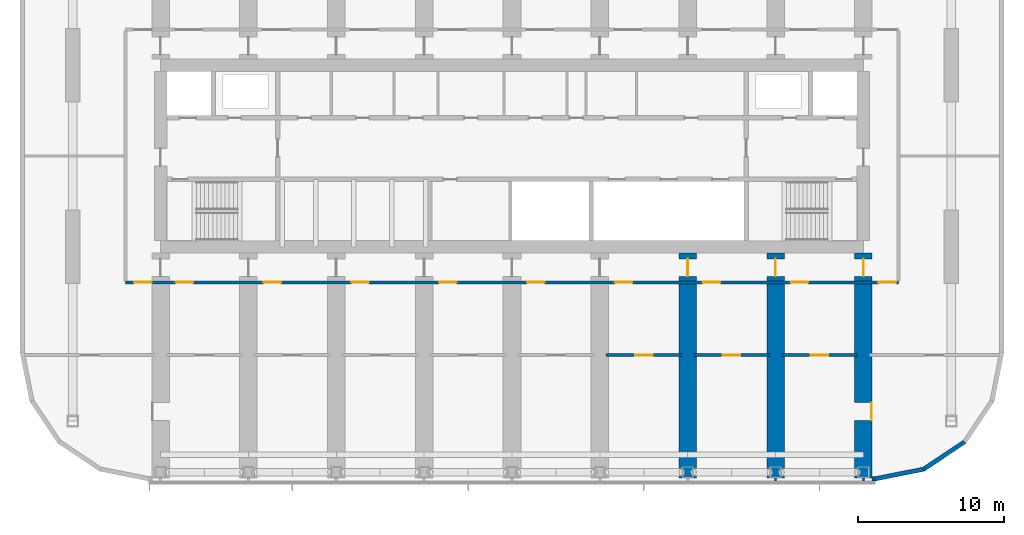
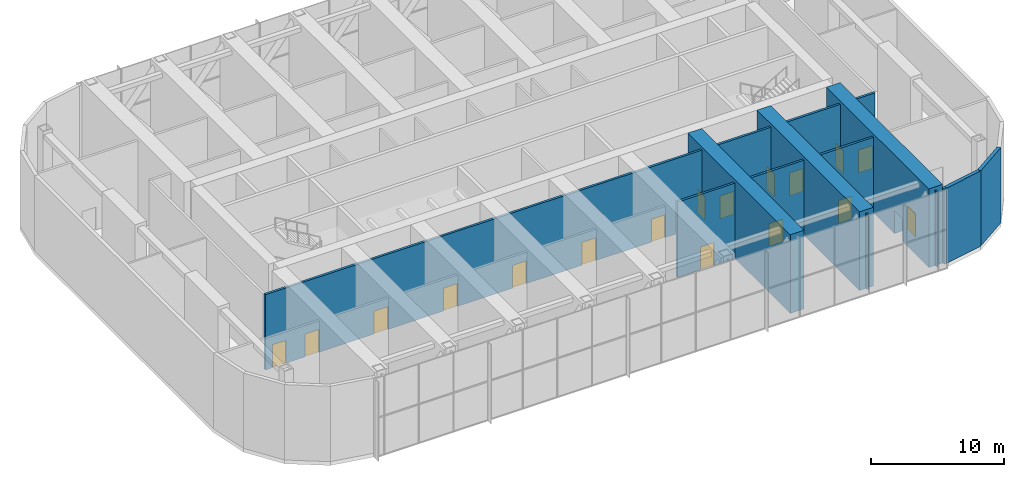
# One storey, part 9 of 22: 17 doors, 12 walls, 17 openings.
"""IFC4 building model written with IfcOpenShell, lengths in metres."""

import ifcopenshell
import ifcopenshell.guid

model = None  # the IFC model being written
_history = None  # IfcOwnerHistory: only IFC2X3 demands one
_inside = {}  # id of a spatial element -> (the spatial element, [elements in it])
_under = {}  # id of a project, library or spatial element -> (it, [spatial elements below it])
_declared = {}  # id of a project -> (the project, [libraries it declares])
_typed = {}  # id of a type object -> (the type object, [elements of that type])
_made_of = {}  # id of a material, layer set ... -> (it, [elements and type objects made of it])


def new_model(schema):
    """Start an empty IFC model of exactly this schema.

    Asked for "IFC4X3", IfcOpenShell would pick the latest addendum, in which some entities
    have other attributes; the version numbers below select the first issue.
    IFC2X3 requires an IfcOwnerHistory on every rooted entity: one is made here for all.
    """
    global model, _history
    if schema == "IFC4X3":
        model = ifcopenshell.file(schema_version=(4, 3, 0, 0))
    else:
        model = ifcopenshell.file(schema=schema)
    _inside.clear()
    _under.clear()
    _declared.clear()
    _typed.clear()
    _made_of.clear()
    _history = None
    if model.schema == "IFC2X3":
        org = make("IfcOrganization", Name="unknown")
        user = make(
            "IfcPersonAndOrganization",
            ThePerson=make("IfcPerson", FamilyName="unknown"),
            TheOrganization=org,
        )
        app = make(
            "IfcApplication",
            ApplicationDeveloper=org,
            Version="unknown",
            ApplicationFullName="unknown",
            ApplicationIdentifier="unknown",
        )
        _history = make(
            "IfcOwnerHistory",
            OwningUser=user,
            OwningApplication=app,
            ChangeAction="ADDED",
            CreationDate=0,
        )
    return model


def make(cls, **values):
    """One entity of the class cls with the attributes given. An attribute that is None is left unset."""
    return model.create_entity(
        cls, **{name: value for name, value in values.items() if value is not None}
    )


def rooted(cls, **values):
    """An entity with a GlobalId (a new one), such as an element, a storey or a relation."""
    return make(cls, GlobalId=ifcopenshell.guid.new(), OwnerHistory=_history, **values)


def si_unit(unit_type, name, prefix=None):
    """IfcSIUnit, for example si_unit("LENGTHUNIT", "METRE", prefix="MILLI")."""
    return make("IfcSIUnit", UnitType=unit_type, Prefix=prefix, Name=name)


def assignment(units):
    """IfcUnitAssignment: the units of a project."""
    return None if units is None else make("IfcUnitAssignment", Units=units)


def point(xyz):
    """IfcCartesianPoint."""
    return None if xyz is None else make("IfcCartesianPoint", Coordinates=xyz)


def direction(xyz):
    """IfcDirection."""
    return None if xyz is None else make("IfcDirection", DirectionRatios=xyz)


def frame(location, z_axis=None, x_axis=None):
    """IfcAxis2Placement3D, a coordinate frame: its origin and axes. An axis left out is left unset."""
    return make(
        "IfcAxis2Placement3D",
        Location=point(location),
        Axis=direction(z_axis),
        RefDirection=direction(x_axis),
    )


def frame_2d(location, x_axis=None):
    """IfcAxis2Placement2D, a coordinate frame in the plane: its origin and x axis."""
    return make(
        "IfcAxis2Placement2D", Location=point(location), RefDirection=direction(x_axis)
    )


def origin():
    """The frame at (0, 0, 0) with its axes left unset."""
    return frame((0.0, 0.0, 0.0))


def place(relative_to, where):
    """IfcLocalPlacement: puts the frame where relative to a parent placement (None: the world)."""
    return make(
        "IfcLocalPlacement", PlacementRelTo=relative_to, RelativePlacement=where
    )


def context(
    kind, dimensions, precision=None, world=None, true_north=None, identifier=None
):
    """IfcGeometricRepresentationContext, for example the 3D "Model" context."""
    return make(
        "IfcGeometricRepresentationContext",
        ContextIdentifier=identifier,
        ContextType=kind,
        CoordinateSpaceDimension=dimensions,
        Precision=precision,
        WorldCoordinateSystem=world,
        TrueNorth=true_north,
    )


def subcontext(parent, identifier, kind, view, scale=None):
    """IfcGeometricRepresentationSubContext, for example "Body" below "Model"."""
    return make(
        "IfcGeometricRepresentationSubContext",
        ContextIdentifier=identifier,
        ContextType=kind,
        ParentContext=parent,
        TargetScale=scale,
        TargetView=view,
    )


def project(units=None, contexts=None):
    """IfcProject with its units and contexts."""
    return rooted(
        "IfcProject",
        Name="project",
        RepresentationContexts=contexts,
        UnitsInContext=assignment(units),
    )


def spatial(cls, under=None, at=None, **own):
    """A site, building, storey or space (cls), placed at a placement, below another one or the project."""
    s = rooted(cls, ObjectPlacement=at, **own)
    if under is not None:
        _under.setdefault(under.id(), (under, []))[1].append(s)
    return s


def polyline(points):
    """IfcPolyline through the points."""
    return make("IfcPolyline", Points=[point(p) for p in points])


def profile(cls, at=None, kind="AREA", **sizes):
    """A parametric profile (cls). Its sizes go by their IFC names, for example OverallWidth=200.0."""
    return make(cls, ProfileType=kind, Position=at, **sizes)


def rectangle(**sizes):
    """IfcRectangleProfileDef."""
    return profile("IfcRectangleProfileDef", **sizes)


def outline(outer, holes=None, kind="AREA"):
    """IfcArbitraryClosedProfileDef: a profile drawn as a closed curve; with holes, ...WithVoids."""
    if holes is None:
        return make("IfcArbitraryClosedProfileDef", ProfileType=kind, OuterCurve=outer)
    return make(
        "IfcArbitraryProfileDefWithVoids",
        ProfileType=kind,
        OuterCurve=outer,
        InnerCurves=holes,
    )


def extrude(swept, where, along, depth):
    """IfcExtrudedAreaSolid: the profile swept, set in the frame where, extruded along a direction by depth."""
    return make(
        "IfcExtrudedAreaSolid",
        SweptArea=swept,
        Position=where,
        ExtrudedDirection=direction(along),
        Depth=depth,
    )


def shape(context_of_items, identifier, shape_type, items):
    """IfcShapeRepresentation: the items that make up one representation, for example the "Body"."""
    return make(
        "IfcShapeRepresentation",
        ContextOfItems=context_of_items,
        RepresentationIdentifier=identifier,
        RepresentationType=shape_type,
        Items=items,
    )


def material(Name=None, Category=None):
    """IfcMaterial."""
    return make("IfcMaterial", Name=Name, Category=Category)


def layer(
    of_material, thickness, ventilated=None, Name=None, Category=None, Priority=None
):
    """IfcMaterialLayer: one layer of a wall or slab, of a material (None: an air gap)."""
    return make(
        "IfcMaterialLayer",
        Material=of_material,
        LayerThickness=thickness,
        IsVentilated=ventilated,
        Name=Name,
        Category=Category,
        Priority=Priority,
    )


def layer_set(layers, Name=None):
    """IfcMaterialLayerSet."""
    return make("IfcMaterialLayerSet", MaterialLayers=layers, LayerSetName=Name)


def made_of(thing, what):
    """Note that an element or type object is made of a material, layer set ...; save() writes the relation."""
    if what is not None:
        _made_of.setdefault(what.id(), (what, []))[1].append(thing)
    return thing


def type_object(cls, material=None, **own):
    """A type object (cls), such as IfcWallType, which elements share."""
    return made_of(rooted(cls, **own), material)


def element(
    cls,
    number,
    at=None,
    inside=None,
    cuts=None,
    type_object=None,
    material=None,
    context=None,
    identifier="Body",
    shape_type=None,
    held_by="IfcProductDefinitionShape",
    body=None,
    shapes=None,
    **own,
):
    """One element of the class cls, such as IfcWall. Its Tag is "e" and its number.

    at: its placement. inside: the storey or other place that contains it. cuts: it is an
    opening in that element (IfcRelVoidsElement). A single representation is given by context,
    identifier, shape_type and body (its items); several are given by shapes. held_by: the class
    of the entity that holds the representations. save() writes the other relations.
    """
    e = rooted(cls, Tag="e%d" % number, ObjectPlacement=at, **own)
    if body is not None:
        shapes = [shape(context, identifier, shape_type, body)]
    if shapes is not None:
        e.Representation = make(held_by, Representations=shapes)
    if inside is not None:
        _inside.setdefault(inside.id(), (inside, []))[1].append(e)
    if cuts is not None:
        rooted(
            "IfcRelVoidsElement", RelatingBuildingElement=cuts, RelatedOpeningElement=e
        )
    if type_object is not None:
        _typed.setdefault(type_object.id(), (type_object, []))[1].append(e)
    return made_of(e, material)


def fill(opening, filler):
    """IfcRelFillsElement: the door or window that sits in an opening."""
    return rooted(
        "IfcRelFillsElement",
        RelatingOpeningElement=opening,
        RelatedBuildingElement=filler,
    )


def aggregate(whole, parts):
    """IfcRelAggregates: a whole, such as a stair, and the parts it consists of."""
    return rooted("IfcRelAggregates", RelatingObject=whole, RelatedObjects=parts)


def save(model, path):
    """Write the relations noted so far, then the file.

    IfcRelAggregates (storeys below a building ...), IfcRelContainedInSpatialStructure (elements
    in a storey), IfcRelDefinesByType, IfcRelAssociatesMaterial and IfcRelDeclares: one each for
    every whole, place, type object, material and project.
    """
    for whole, parts in _under.values():
        aggregate(whole, parts)
    for where, things in _inside.values():
        rooted(
            "IfcRelContainedInSpatialStructure",
            RelatedElements=things,
            RelatingStructure=where,
        )
    for kind, things in _typed.values():
        rooted("IfcRelDefinesByType", RelatedObjects=things, RelatingType=kind)
    for what, things in _made_of.values():
        rooted("IfcRelAssociatesMaterial", RelatedObjects=things, RelatingMaterial=what)
    for by, libraries in _declared.values():
        rooted("IfcRelDeclares", RelatingContext=by, RelatedDefinitions=libraries)
    model.write(path)


model = new_model("IFC4")

# Units and contexts
model_context = context("Model", 3, precision=1e-05, world=origin(), true_north=direction((0.0, 1.0)))
body_context = subcontext(model_context, "Body", "Model", "MODEL_VIEW")
ifc_project = project(units=[si_unit("LENGTHUNIT", "METRE"), si_unit("AREAUNIT", "SQUARE_METRE"), si_unit("VOLUMEUNIT", "CUBIC_METRE"), si_unit("PLANEANGLEUNIT", "RADIAN"), si_unit("MASSUNIT", "GRAM", prefix="KILO")], contexts=[model_context])

# Site, building, storey
site_placement = place(None, origin())
site = spatial("IfcSite", under=ifc_project, at=site_placement, CompositionType="ELEMENT")
building_placement = place(site_placement, origin())
building = spatial("IfcBuilding", under=site, at=building_placement, Name="Orbita Commons", CompositionType="ELEMENT")
storey_placement = place(building_placement, frame((0.0, 0.0, 201.10009765625)))
storey = spatial("IfcBuildingStorey", under=building, at=storey_placement, Name="L50", CompositionType="ELEMENT", Elevation=201.10009765625)

# Wall, openings, doors
ifc_material_1 = material(Name="Concrete blockwork", Category="masonry")
ifc_layer_1 = layer(ifc_material_1, 0.199951171875)
ifc_layer_set_1 = layer_set([ifc_layer_1], Name="Concrete blockwork")
wall_type_1 = type_object("IfcWallType", Name="Corridor wall 200 blockwork", PredefinedType="SOLIDWALL", material=ifc_layer_set_1)
wall_1_placement = place(storey_placement, frame((68.39990234375, 23.375, 0.0), z_axis=(0.0, 0.0, 1.0), x_axis=(-1.0, 0.0, 0.0)))
wall_1 = element("IfcWall", 1, at=wall_1_placement, inside=storey, type_object=wall_type_1, Name="Corridor wall 200 blockwork L50", PredefinedType="SOLIDWALL", context=body_context, shape_type="SweptSolid", body=[
    extrude(rectangle(XDim=52.7998046875, YDim=0.199951171875, at=frame_2d((26.39990234375, 0.0))), origin(), (0.0, 0.0, 1.0), 6.89990234375),
])
opening_1_placement = place(wall_1_placement, frame((51.0, 0.0, 0.0)))
opening_1 = element("IfcOpeningElement", 2, at=opening_1_placement, cuts=wall_1, Name="Opening D01", PredefinedType="OPENING", context=body_context, shape_type="SweptSolid", body=[
    extrude(rectangle(XDim=1.199951171875, YDim=2.10009765625, at=frame_2d((0.60009765625, 1.050048828125))), frame((0.0, 0.10986328125, 0.0), z_axis=(0.0, -1.0, 0.0), x_axis=(1.0, 0.0, 0.0)), (0.0, 0.0, 1.0), 0.219970703125),
])
opening_2_placement = place(wall_1_placement, frame((48.175048828125, 0.0, 0.0)))
opening_2 = element("IfcOpeningElement", 3, at=opening_2_placement, cuts=wall_1, Name="Opening D01", PredefinedType="OPENING", context=body_context, shape_type="SweptSolid", body=[
    extrude(rectangle(XDim=1.199951171875, YDim=2.10009765625, at=frame_2d((0.60009765625, 1.050048828125))), frame((0.0, 0.10986328125, 0.0), z_axis=(0.0, -1.0, 0.0), x_axis=(1.0, 0.0, 0.0)), (0.0, 0.0, 1.0), 0.219970703125),
])
opening_3_placement = place(wall_1_placement, frame((42.175048828125, 0.0, 0.0)))
opening_3 = element("IfcOpeningElement", 4, at=opening_3_placement, cuts=wall_1, Name="Opening D01", PredefinedType="OPENING", context=body_context, shape_type="SweptSolid", body=[
    extrude(rectangle(XDim=1.199951171875, YDim=2.10009765625, at=frame_2d((0.60009765625, 1.050048828125))), frame((0.0, 0.10986328125, 0.0), z_axis=(0.0, -1.0, 0.0), x_axis=(1.0, 0.0, 0.0)), (0.0, 0.0, 1.0), 0.219970703125),
])
opening_4_placement = place(wall_1_placement, frame((36.175048828125, 0.0, 0.0)))
opening_4 = element("IfcOpeningElement", 5, at=opening_4_placement, cuts=wall_1, Name="Opening D01", PredefinedType="OPENING", context=body_context, shape_type="SweptSolid", body=[
    extrude(rectangle(XDim=1.199951171875, YDim=2.10009765625, at=frame_2d((0.60009765625, 1.050048828125))), frame((0.0, 0.10986328125, 0.0), z_axis=(0.0, -1.0, 0.0), x_axis=(1.0, 0.0, 0.0)), (0.0, 0.0, 1.0), 0.219970703125),
])
opening_5_placement = place(wall_1_placement, frame((30.175048828125, 0.0, 0.0)))
opening_5 = element("IfcOpeningElement", 6, at=opening_5_placement, cuts=wall_1, Name="Opening D01", PredefinedType="OPENING", context=body_context, shape_type="SweptSolid", body=[
    extrude(rectangle(XDim=1.199951171875, YDim=2.10009765625, at=frame_2d((0.60009765625, 1.050048828125))), frame((0.0, 0.10986328125, 0.0), z_axis=(0.0, -1.0, 0.0), x_axis=(1.0, 0.0, 0.0)), (0.0, 0.0, 1.0), 0.219970703125),
])
opening_6_placement = place(wall_1_placement, frame((24.175048828125, 0.0, 0.0)))
opening_6 = element("IfcOpeningElement", 7, at=opening_6_placement, cuts=wall_1, Name="Opening D01", PredefinedType="OPENING", context=body_context, shape_type="SweptSolid", body=[
    extrude(rectangle(XDim=1.199951171875, YDim=2.10009765625, at=frame_2d((0.60009765625, 1.050048828125))), frame((0.0, 0.10986328125, 0.0), z_axis=(0.0, -1.0, 0.0), x_axis=(1.0, 0.0, 0.0)), (0.0, 0.0, 1.0), 0.219970703125),
])
opening_7_placement = place(wall_1_placement, frame((18.175048828125, 0.0, 0.0)))
opening_7 = element("IfcOpeningElement", 8, at=opening_7_placement, cuts=wall_1, Name="Opening D01", PredefinedType="OPENING", context=body_context, shape_type="SweptSolid", body=[
    extrude(rectangle(XDim=1.199951171875, YDim=2.10009765625, at=frame_2d((0.60009765625, 1.050048828125))), frame((0.0, 0.10986328125, 0.0), z_axis=(0.0, -1.0, 0.0), x_axis=(1.0, 0.0, 0.0)), (0.0, 0.0, 1.0), 0.219970703125),
])
opening_8_placement = place(wall_1_placement, frame((12.175048828125, 0.0, 0.0)))
opening_8 = element("IfcOpeningElement", 9, at=opening_8_placement, cuts=wall_1, Name="Opening D01", PredefinedType="OPENING", context=body_context, shape_type="SweptSolid", body=[
    extrude(rectangle(XDim=1.199951171875, YDim=2.10009765625, at=frame_2d((0.60009765625, 1.050048828125))), frame((0.0, 0.10986328125, 0.0), z_axis=(0.0, -1.0, 0.0), x_axis=(1.0, 0.0, 0.0)), (0.0, 0.0, 1.0), 0.219970703125),
])
opening_9_placement = place(wall_1_placement, frame((6.175048828125, 0.0, 0.0)))
opening_9 = element("IfcOpeningElement", 10, at=opening_9_placement, cuts=wall_1, Name="Opening D01", PredefinedType="OPENING", context=body_context, shape_type="SweptSolid", body=[
    extrude(rectangle(XDim=1.199951171875, YDim=2.10009765625, at=frame_2d((0.60009765625, 1.050048828125))), frame((0.0, 0.10986328125, 0.0), z_axis=(0.0, -1.0, 0.0), x_axis=(1.0, 0.0, 0.0)), (0.0, 0.0, 1.0), 0.219970703125),
])
opening_10_placement = place(wall_1_placement, frame((0.175048828125, 0.0, 0.0)))
opening_10 = element("IfcOpeningElement", 11, at=opening_10_placement, cuts=wall_1, Name="Opening D01", PredefinedType="OPENING", context=body_context, shape_type="SweptSolid", body=[
    extrude(rectangle(XDim=1.199951171875, YDim=2.10009765625, at=frame_2d((0.60009765625, 1.050048828125))), frame((0.0, 0.10986328125, 0.0), z_axis=(0.0, -1.0, 0.0), x_axis=(1.0, 0.0, 0.0)), (0.0, 0.0, 1.0), 0.219970703125),
])
ifc_material_2 = material(Name="Steel-faced fire door leaf", Category="steel")
door_type = type_object("IfcDoorType", Name="Fire door 90 min 1200x2100", OperationType="SINGLE_SWING_LEFT", PredefinedType="DOOR", material=ifc_material_2)
door_1_placement = place(opening_1_placement, origin())
door_1 = element("IfcDoor", 12, at=door_1_placement, inside=storey, type_object=door_type, Name="Refuge lobby L50-PS0 door", OperationType="SINGLE_SWING_LEFT", OverallHeight=2.10009765625, OverallWidth=1.199951171875, PredefinedType="DOOR", context=body_context, shape_type="SweptSolid", body=[
    extrude(rectangle(XDim=1.199951171875, YDim=2.10009765625, at=frame_2d((0.60009765625, 1.050048828125))), frame((0.0, 0.02490234375, 0.0), z_axis=(0.0, -1.0, 0.0), x_axis=(1.0, 0.0, 0.0)), (0.0, 0.0, 1.0), 0.050048828125),
])
fill(opening_1, door_1)
door_2_placement = place(opening_2_placement, origin())
door_2 = element("IfcDoor", 13, at=door_2_placement, inside=storey, type_object=door_type, Name="Refuge lobby L50-PS1 door", OperationType="SINGLE_SWING_LEFT", OverallHeight=2.10009765625, OverallWidth=1.199951171875, PredefinedType="DOOR", context=body_context, shape_type="SweptSolid", body=[
    extrude(rectangle(XDim=1.199951171875, YDim=2.10009765625, at=frame_2d((0.60009765625, 1.050048828125))), frame((0.0, 0.02490234375, 0.0), z_axis=(0.0, -1.0, 0.0), x_axis=(1.0, 0.0, 0.0)), (0.0, 0.0, 1.0), 0.050048828125),
])
fill(opening_2, door_2)
door_3_placement = place(opening_3_placement, origin())
door_3 = element("IfcDoor", 14, at=door_3_placement, inside=storey, type_object=door_type, Name="Refuge lobby L50-PS2 door", OperationType="SINGLE_SWING_LEFT", OverallHeight=2.10009765625, OverallWidth=1.199951171875, PredefinedType="DOOR", context=body_context, shape_type="SweptSolid", body=[
    extrude(rectangle(XDim=1.199951171875, YDim=2.10009765625, at=frame_2d((0.60009765625, 1.050048828125))), frame((0.0, 0.02490234375, 0.0), z_axis=(0.0, -1.0, 0.0), x_axis=(1.0, 0.0, 0.0)), (0.0, 0.0, 1.0), 0.050048828125),
])
fill(opening_3, door_3)
door_4_placement = place(opening_4_placement, origin())
door_4 = element("IfcDoor", 15, at=door_4_placement, inside=storey, type_object=door_type, Name="Refuge lobby L50-PS3 door", OperationType="SINGLE_SWING_LEFT", OverallHeight=2.10009765625, OverallWidth=1.199951171875, PredefinedType="DOOR", context=body_context, shape_type="SweptSolid", body=[
    extrude(rectangle(XDim=1.199951171875, YDim=2.10009765625, at=frame_2d((0.60009765625, 1.050048828125))), frame((0.0, 0.02490234375, 0.0), z_axis=(0.0, -1.0, 0.0), x_axis=(1.0, 0.0, 0.0)), (0.0, 0.0, 1.0), 0.050048828125),
])
fill(opening_4, door_4)
door_5_placement = place(opening_5_placement, origin())
door_5 = element("IfcDoor", 16, at=door_5_placement, inside=storey, type_object=door_type, Name="Refuge lobby L50-PS4 door", OperationType="SINGLE_SWING_LEFT", OverallHeight=2.10009765625, OverallWidth=1.199951171875, PredefinedType="DOOR", context=body_context, shape_type="SweptSolid", body=[
    extrude(rectangle(XDim=1.199951171875, YDim=2.10009765625, at=frame_2d((0.60009765625, 1.050048828125))), frame((0.0, 0.02490234375, 0.0), z_axis=(0.0, -1.0, 0.0), x_axis=(1.0, 0.0, 0.0)), (0.0, 0.0, 1.0), 0.050048828125),
])
fill(opening_5, door_5)
door_6_placement = place(opening_6_placement, origin())
door_6 = element("IfcDoor", 17, at=door_6_placement, inside=storey, type_object=door_type, Name="Refuge lobby L50-PS5 door", OperationType="SINGLE_SWING_LEFT", OverallHeight=2.10009765625, OverallWidth=1.199951171875, PredefinedType="DOOR", context=body_context, shape_type="SweptSolid", body=[
    extrude(rectangle(XDim=1.199951171875, YDim=2.10009765625, at=frame_2d((0.60009765625, 1.050048828125))), frame((0.0, 0.02490234375, 0.0), z_axis=(0.0, -1.0, 0.0), x_axis=(1.0, 0.0, 0.0)), (0.0, 0.0, 1.0), 0.050048828125),
])
fill(opening_6, door_6)
door_7_placement = place(opening_7_placement, origin())
door_7 = element("IfcDoor", 18, at=door_7_placement, inside=storey, type_object=door_type, Name="Refuge lobby L50-PS6 door", OperationType="SINGLE_SWING_LEFT", OverallHeight=2.10009765625, OverallWidth=1.199951171875, PredefinedType="DOOR", context=body_context, shape_type="SweptSolid", body=[
    extrude(rectangle(XDim=1.199951171875, YDim=2.10009765625, at=frame_2d((0.60009765625, 1.050048828125))), frame((0.0, 0.02490234375, 0.0), z_axis=(0.0, -1.0, 0.0), x_axis=(1.0, 0.0, 0.0)), (0.0, 0.0, 1.0), 0.050048828125),
])
fill(opening_7, door_7)
door_8_placement = place(opening_8_placement, origin())
door_8 = element("IfcDoor", 19, at=door_8_placement, inside=storey, type_object=door_type, Name="Refuge lobby L50-PS7 door", OperationType="SINGLE_SWING_LEFT", OverallHeight=2.10009765625, OverallWidth=1.199951171875, PredefinedType="DOOR", context=body_context, shape_type="SweptSolid", body=[
    extrude(rectangle(XDim=1.199951171875, YDim=2.10009765625, at=frame_2d((0.60009765625, 1.050048828125))), frame((0.0, 0.02490234375, 0.0), z_axis=(0.0, -1.0, 0.0), x_axis=(1.0, 0.0, 0.0)), (0.0, 0.0, 1.0), 0.050048828125),
])
fill(opening_8, door_8)
door_9_placement = place(opening_9_placement, origin())
door_9 = element("IfcDoor", 20, at=door_9_placement, inside=storey, type_object=door_type, Name="Refuge lobby L50-PS8 door", OperationType="SINGLE_SWING_LEFT", OverallHeight=2.10009765625, OverallWidth=1.199951171875, PredefinedType="DOOR", context=body_context, shape_type="SweptSolid", body=[
    extrude(rectangle(XDim=1.199951171875, YDim=2.10009765625, at=frame_2d((0.60009765625, 1.050048828125))), frame((0.0, 0.02490234375, 0.0), z_axis=(0.0, -1.0, 0.0), x_axis=(1.0, 0.0, 0.0)), (0.0, 0.0, 1.0), 0.050048828125),
])
fill(opening_9, door_9)
door_10_placement = place(opening_10_placement, origin())
door_10 = element("IfcDoor", 21, at=door_10_placement, inside=storey, type_object=door_type, Name="Refuge lobby L50-PS9 door", OperationType="SINGLE_SWING_LEFT", OverallHeight=2.10009765625, OverallWidth=1.199951171875, PredefinedType="DOOR", context=body_context, shape_type="SweptSolid", body=[
    extrude(rectangle(XDim=1.199951171875, YDim=2.10009765625, at=frame_2d((0.60009765625, 1.050048828125))), frame((0.0, 0.02490234375, 0.0), z_axis=(0.0, -1.0, 0.0), x_axis=(1.0, 0.0, 0.0)), (0.0, 0.0, 1.0), 0.050048828125),
])
fill(opening_10, door_10)

# Wall, opening, door
ifc_material_3 = material(Name="Hollow concrete block 200", Category="concrete")
ifc_layer_2 = layer(ifc_material_3, 0.199951171875)
ifc_layer_set_2 = layer_set([ifc_layer_2], Name="Hollow concrete block 200")
wall_type_2 = type_object("IfcWallType", Name="Corridor wall 200 hollow concrete block", PredefinedType="SOLIDWALL", material=ifc_layer_set_2)
wall_2_placement = place(storey_placement, frame((48.425048828125, 18.39990234375, 0.0), z_axis=(0.0, 0.0, 1.0), x_axis=(1.0, 0.0, 0.0)))
wall_2 = element("IfcWall", 22, at=wall_2_placement, inside=storey, type_object=wall_type_2, Name="Corridor wall 200 hollow concrete block L50", PredefinedType="SOLIDWALL", context=body_context, shape_type="SweptSolid", body=[
    extrude(rectangle(XDim=5.14990234375, YDim=0.199951171875, at=frame_2d((2.574951171875, 0.0))), origin(), (0.0, 0.0, 1.0), 6.89990234375),
])
opening_11_placement = place(wall_2_placement, frame((1.97509765625, 0.0, 0.0)))
opening_11 = element("IfcOpeningElement", 23, at=opening_11_placement, cuts=wall_2, Name="Opening D01", PredefinedType="OPENING", context=body_context, shape_type="SweptSolid", body=[
    extrude(rectangle(XDim=1.199951171875, YDim=2.10009765625, at=frame_2d((0.60009765625, 1.050048828125))), frame((0.0, 0.10986328125, 0.0), z_axis=(0.0, -1.0, 0.0), x_axis=(1.0, 0.0, 0.0)), (0.0, 0.0, 1.0), 0.219970703125),
])
door_11_placement = place(opening_11_placement, origin())
door_11 = element("IfcDoor", 24, at=door_11_placement, inside=storey, type_object=door_type, Name="Refuge area door L50", OperationType="SINGLE_SWING_LEFT", OverallHeight=2.10009765625, OverallWidth=1.199951171875, PredefinedType="DOOR", context=body_context, shape_type="SweptSolid", body=[
    extrude(rectangle(XDim=1.199951171875, YDim=2.10009765625, at=frame_2d((0.60009765625, 1.050048828125))), frame((0.0, 0.02490234375, 0.0), z_axis=(0.0, -1.0, 0.0), x_axis=(1.0, 0.0, 0.0)), (0.0, 0.0, 1.0), 0.050048828125),
])
fill(opening_11, door_11)

wall_3_placement = place(storey_placement, frame((54.425048828125, 18.39990234375, 0.0), z_axis=(0.0, 0.0, 1.0), x_axis=(1.0, 0.0, 0.0)))
wall_3 = element("IfcWall", 25, at=wall_3_placement, inside=storey, type_object=wall_type_2, Name="Corridor wall 200 hollow concrete block L50", PredefinedType="SOLIDWALL", context=body_context, shape_type="SweptSolid", body=[
    extrude(rectangle(XDim=5.14990234375, YDim=0.199951171875, at=frame_2d((2.574951171875, 0.0))), origin(), (0.0, 0.0, 1.0), 6.89990234375),
])
opening_12_placement = place(wall_3_placement, frame((1.97509765625, 0.0, 0.0)))
opening_12 = element("IfcOpeningElement", 26, at=opening_12_placement, cuts=wall_3, Name="Opening D01", PredefinedType="OPENING", context=body_context, shape_type="SweptSolid", body=[
    extrude(rectangle(XDim=1.199951171875, YDim=2.10009765625, at=frame_2d((0.60009765625, 1.050048828125))), frame((0.0, 0.10986328125, 0.0), z_axis=(0.0, -1.0, 0.0), x_axis=(1.0, 0.0, 0.0)), (0.0, 0.0, 1.0), 0.219970703125),
])
door_12_placement = place(opening_12_placement, origin())
door_12 = element("IfcDoor", 27, at=door_12_placement, inside=storey, type_object=door_type, Name="Refuge area door L50", OperationType="SINGLE_SWING_LEFT", OverallHeight=2.10009765625, OverallWidth=1.199951171875, PredefinedType="DOOR", context=body_context, shape_type="SweptSolid", body=[
    extrude(rectangle(XDim=1.199951171875, YDim=2.10009765625, at=frame_2d((0.60009765625, 1.050048828125))), frame((0.0, 0.02490234375, 0.0), z_axis=(0.0, -1.0, 0.0), x_axis=(1.0, 0.0, 0.0)), (0.0, 0.0, 1.0), 0.050048828125),
])
fill(opening_12, door_12)

wall_4_placement = place(storey_placement, frame((60.425048828125, 18.39990234375, 0.0), z_axis=(0.0, 0.0, 1.0), x_axis=(1.0, 0.0, 0.0)))
wall_4 = element("IfcWall", 28, at=wall_4_placement, inside=storey, type_object=wall_type_2, Name="Corridor wall 200 hollow concrete block L50", PredefinedType="SOLIDWALL", context=body_context, shape_type="SweptSolid", body=[
    extrude(rectangle(XDim=5.14990234375, YDim=0.199951171875, at=frame_2d((2.574951171875, 0.0))), origin(), (0.0, 0.0, 1.0), 6.89990234375),
])
opening_13_placement = place(wall_4_placement, frame((1.97509765625, 0.0, 0.0)))
opening_13 = element("IfcOpeningElement", 29, at=opening_13_placement, cuts=wall_4, Name="Opening D01", PredefinedType="OPENING", context=body_context, shape_type="SweptSolid", body=[
    extrude(rectangle(XDim=1.199951171875, YDim=2.10009765625, at=frame_2d((0.60009765625, 1.050048828125))), frame((0.0, 0.10986328125, 0.0), z_axis=(0.0, -1.0, 0.0), x_axis=(1.0, 0.0, 0.0)), (0.0, 0.0, 1.0), 0.219970703125),
])
door_13_placement = place(opening_13_placement, origin())
door_13 = element("IfcDoor", 30, at=door_13_placement, inside=storey, type_object=door_type, Name="Refuge area door L50", OperationType="SINGLE_SWING_LEFT", OverallHeight=2.10009765625, OverallWidth=1.199951171875, PredefinedType="DOOR", context=body_context, shape_type="SweptSolid", body=[
    extrude(rectangle(XDim=1.199951171875, YDim=2.10009765625, at=frame_2d((0.60009765625, 1.050048828125))), frame((0.0, 0.02490234375, 0.0), z_axis=(0.0, -1.0, 0.0), x_axis=(1.0, 0.0, 0.0)), (0.0, 0.0, 1.0), 0.050048828125),
])
fill(opening_13, door_13)

ifc_material_4 = material(Name="Concrete C50/60", Category="concrete")
ifc_layer_3 = layer(ifc_material_4, 1.199951171875)
ifc_layer_set_3 = layer_set([ifc_layer_3], Name="Concrete C50/60")
wall_type_3 = type_object("IfcWallType", Name="Outrigger wall 1200 C50/60", PredefinedType="SHEAR", material=ifc_layer_set_3)
wall_5_placement = place(storey_placement, frame((54.0, 10.0, 0.0), z_axis=(0.0, 0.0, 1.0), x_axis=(0.0, 1.0, 0.0)))
wall_5 = element("IfcWall", 31, at=wall_5_placement, inside=storey, type_object=wall_type_3, Name="Outrigger wall 10 south L50", PredefinedType="SHEAR", context=body_context, shape_type="SweptSolid", body=[
    extrude(rectangle(XDim=15.375, YDim=1.199951171875, at=frame_2d((7.6875, 0.0))), origin(), (0.0, 0.0, 1.0), 7.199951171875),
])
opening_14_placement = place(wall_5_placement, frame((13.77490234375, 0.0, 0.0)))
opening_14 = element("IfcOpeningElement", 32, at=opening_14_placement, cuts=wall_5, Name="Opening D01", PredefinedType="OPENING", context=body_context, shape_type="SweptSolid", body=[
    extrude(rectangle(XDim=1.199951171875, YDim=2.10009765625, at=frame_2d((0.60009765625, 1.050048828125))), frame((0.0, 0.60986328125, 0.0), z_axis=(0.0, -1.0, 0.0), x_axis=(1.0, 0.0, 0.0)), (0.0, 0.0, 1.0), 1.219970703125),
])
door_14_placement = place(opening_14_placement, origin())
door_14 = element("IfcDoor", 33, at=door_14_placement, inside=storey, type_object=door_type, Name="Corridor door through cross wall S L50", OperationType="SINGLE_SWING_LEFT", OverallHeight=2.10009765625, OverallWidth=1.199951171875, PredefinedType="DOOR", context=body_context, shape_type="SweptSolid", body=[
    extrude(rectangle(XDim=1.199951171875, YDim=2.10009765625, at=frame_2d((0.60009765625, 1.050048828125))), frame((0.0, 0.02490234375, 0.0), z_axis=(0.0, -1.0, 0.0), x_axis=(1.0, 0.0, 0.0)), (0.0, 0.0, 1.0), 0.050048828125),
])
fill(opening_14, door_14)

wall_6_placement = place(storey_placement, frame((60.0, 10.0, 0.0), z_axis=(0.0, 0.0, 1.0), x_axis=(0.0, 1.0, 0.0)))
wall_6 = element("IfcWall", 34, at=wall_6_placement, inside=storey, type_object=wall_type_3, Name="Outrigger wall 11 south L50", PredefinedType="SHEAR", context=body_context, shape_type="SweptSolid", body=[
    extrude(rectangle(XDim=15.375, YDim=1.199951171875, at=frame_2d((7.6875, 0.0))), origin(), (0.0, 0.0, 1.0), 7.199951171875),
])
opening_15_placement = place(wall_6_placement, frame((13.77490234375, 0.0, 0.0)))
opening_15 = element("IfcOpeningElement", 35, at=opening_15_placement, cuts=wall_6, Name="Opening D01", PredefinedType="OPENING", context=body_context, shape_type="SweptSolid", body=[
    extrude(rectangle(XDim=1.199951171875, YDim=2.10009765625, at=frame_2d((0.60009765625, 1.050048828125))), frame((0.0, 0.60986328125, 0.0), z_axis=(0.0, -1.0, 0.0), x_axis=(1.0, 0.0, 0.0)), (0.0, 0.0, 1.0), 1.219970703125),
])
door_15_placement = place(opening_15_placement, origin())
door_15 = element("IfcDoor", 36, at=door_15_placement, inside=storey, type_object=door_type, Name="Corridor door through cross wall S L50", OperationType="SINGLE_SWING_LEFT", OverallHeight=2.10009765625, OverallWidth=1.199951171875, PredefinedType="DOOR", context=body_context, shape_type="SweptSolid", body=[
    extrude(rectangle(XDim=1.199951171875, YDim=2.10009765625, at=frame_2d((0.60009765625, 1.050048828125))), frame((0.0, 0.02490234375, 0.0), z_axis=(0.0, -1.0, 0.0), x_axis=(1.0, 0.0, 0.0)), (0.0, 0.0, 1.0), 0.050048828125),
])
fill(opening_15, door_15)

# Wall, openings, doors
wall_7_placement = place(storey_placement, frame((66.0, 10.0, 0.0), z_axis=(0.0, 0.0, 1.0), x_axis=(0.0, 1.0, 0.0)))
wall_7 = element("IfcWall", 37, at=wall_7_placement, inside=storey, type_object=wall_type_3, Name="Outrigger wall 12 south L50", PredefinedType="SHEAR", context=body_context, shape_type="SweptSolid", body=[
    extrude(rectangle(XDim=15.375, YDim=1.199951171875, at=frame_2d((7.6875, 0.0))), origin(), (0.0, 0.0, 1.0), 7.199951171875),
])
opening_16_placement = place(wall_7_placement, frame((13.77490234375, 0.0, 0.0)))
opening_16 = element("IfcOpeningElement", 38, at=opening_16_placement, cuts=wall_7, Name="Opening D01", PredefinedType="OPENING", context=body_context, shape_type="SweptSolid", body=[
    extrude(rectangle(XDim=1.199951171875, YDim=2.10009765625, at=frame_2d((0.60009765625, 1.050048828125))), frame((0.0, 0.60986328125, 0.0), z_axis=(0.0, -1.0, 0.0), x_axis=(1.0, 0.0, 0.0)), (0.0, 0.0, 1.0), 1.219970703125),
])
opening_17_placement = place(wall_7_placement, frame((3.949951171875, 0.0, 0.0)))
opening_17 = element("IfcOpeningElement", 39, at=opening_17_placement, cuts=wall_7, Name="Opening D01", PredefinedType="OPENING", context=body_context, shape_type="SweptSolid", body=[
    extrude(rectangle(XDim=1.199951171875, YDim=2.10009765625, at=frame_2d((0.60009765625, 1.050048828125))), frame((0.0, 0.60986328125, 0.0), z_axis=(0.0, -1.0, 0.0), x_axis=(1.0, 0.0, 0.0)), (0.0, 0.0, 1.0), 1.219970703125),
])
door_16_placement = place(opening_16_placement, origin())
door_16 = element("IfcDoor", 40, at=door_16_placement, inside=storey, type_object=door_type, Name="Corridor door through cross wall S L50", OperationType="SINGLE_SWING_LEFT", OverallHeight=2.10009765625, OverallWidth=1.199951171875, PredefinedType="DOOR", context=body_context, shape_type="SweptSolid", body=[
    extrude(rectangle(XDim=1.199951171875, YDim=2.10009765625, at=frame_2d((0.60009765625, 1.050048828125))), frame((0.0, 0.02490234375, 0.0), z_axis=(0.0, -1.0, 0.0), x_axis=(1.0, 0.0, 0.0)), (0.0, 0.0, 1.0), 0.050048828125),
])
fill(opening_16, door_16)
door_17_placement = place(opening_17_placement, origin())
door_17 = element("IfcDoor", 41, at=door_17_placement, inside=storey, type_object=door_type, Name="Refuge area connecting door L50", OperationType="SINGLE_SWING_LEFT", OverallHeight=2.10009765625, OverallWidth=1.199951171875, PredefinedType="DOOR", context=body_context, shape_type="SweptSolid", body=[
    extrude(rectangle(XDim=1.199951171875, YDim=2.10009765625, at=frame_2d((0.60009765625, 1.050048828125))), frame((0.0, -0.53515625, 0.0), z_axis=(0.0, -1.0, 0.0), x_axis=(1.0, 0.0, 0.0)), (0.0, 0.0, 1.0), 0.050048828125),
])
fill(opening_17, door_17)

# Walls
ifc_material_5 = material(Name="Gypsum plasterboard on steel studs", Category="steel")
ifc_layer_4 = layer(ifc_material_5, 0.14990234375)
ifc_layer_set_4 = layer_set([ifc_layer_4], Name="Gypsum plasterboard on steel studs")
wall_type_4 = type_object("IfcWallType", Name="Partition 150 plasterboard", PredefinedType="PARTITIONING", material=ifc_layer_set_4)
for number, where, z_axis, x_axis, name in (
    (42, (60.0, 10.0, 0.0), (0.0, 0.0, 1.0), (0.0, -1.0, 0.0), "Partition 150 plasterboard L50"),
    (43, (66.0, 10.0, 0.0), (0.0, 0.0, 1.0), (0.0, -1.0, 0.0), "Partition 150 plasterboard L50"),
):
    element("IfcWall", number, at=place(storey_placement, frame(where, z_axis=z_axis, x_axis=x_axis)), inside=storey, type_object=wall_type_4, Name=name, PredefinedType="PARTITIONING", context=body_context, shape_type="SweptSolid", body=[
        extrude(rectangle(XDim=0.18994140625, YDim=0.14990234375, at=frame_2d((0.094970703125, 0.0))), origin(), (0.0, 0.0, 1.0), 6.89990234375),
    ])
ifc_material_6 = material(Name="Precast concrete C40/50, white board-marked finish", Category="concrete")
ifc_layer_5 = layer(ifc_material_6, 0.300048828125)
ifc_layer_set_5 = layer_set([ifc_layer_5], Name="Precast concrete C40/50, white board-marked finish")
wall_type_5 = type_object("IfcWallType", Name="Precast concrete end shield 300", PredefinedType="SOLIDWALL", material=ifc_layer_set_5)
wall_8_placement = place(storey_placement, frame((66.800048828125, 9.949951171875, 0.0), z_axis=(0.0, 0.0, 1.0), x_axis=(0.98078325777, 0.195100490205, 0.0)))
element("IfcWall", 44, at=wall_8_placement, inside=storey, type_object=wall_type_5, Name="End shield SE chord 1 L50", PredefinedType="SOLIDWALL", context=body_context, shape_type="SweptSolid", body=[
    extrude(outline(polyline([(-0.02978515625, -0.14990234375), (3.40478515625, -0.14990234375), (3.34521484375, 0.14990234375), (0.02978515625, 0.14990234375), (-0.02978515625, -0.14990234375)])), origin(), (0.0, 0.0, 1.0), 6.89990234375),
])
wall_9_placement = place(storey_placement, frame((70.110107421875, 10.6083984375, 0.0), z_axis=(0.0, 0.0, 1.0), x_axis=(0.831493450887, 0.555534554399, 0.0)))
element("IfcWall", 45, at=wall_9_placement, inside=storey, type_object=wall_type_5, Name="End shield SE chord 2 L50", PredefinedType="SOLIDWALL", context=body_context, shape_type="SweptSolid", body=[
    extrude(outline(polyline([(-0.02978515625, -0.14990234375), (3.405029296875, -0.14990234375), (3.345458984375, 0.14990234375), (0.02978515625, 0.14990234375), (-0.02978515625, -0.14990234375)])), origin(), (0.0, 0.0, 1.0), 6.89990234375),
])
wall_10_placement = place(storey_placement, frame((66.800048828125, 9.949951171875, 0.0), z_axis=(0.0, 0.0, 1.0), x_axis=(-1.0, 0.0, 0.0)))
element("IfcWall", 46, at=wall_10_placement, inside=storey, type_object=wall_type_5, Name="End shield SE closer L50", PredefinedType="SOLIDWALL", context=body_context, shape_type="SweptSolid", body=[
    extrude(rectangle(XDim=0.199951171875, YDim=0.300048828125, at=frame_2d((0.10009765625, 0.0))), origin(), (0.0, 0.0, 1.0), 6.89990234375),
])

save(model, "model.ifc")
